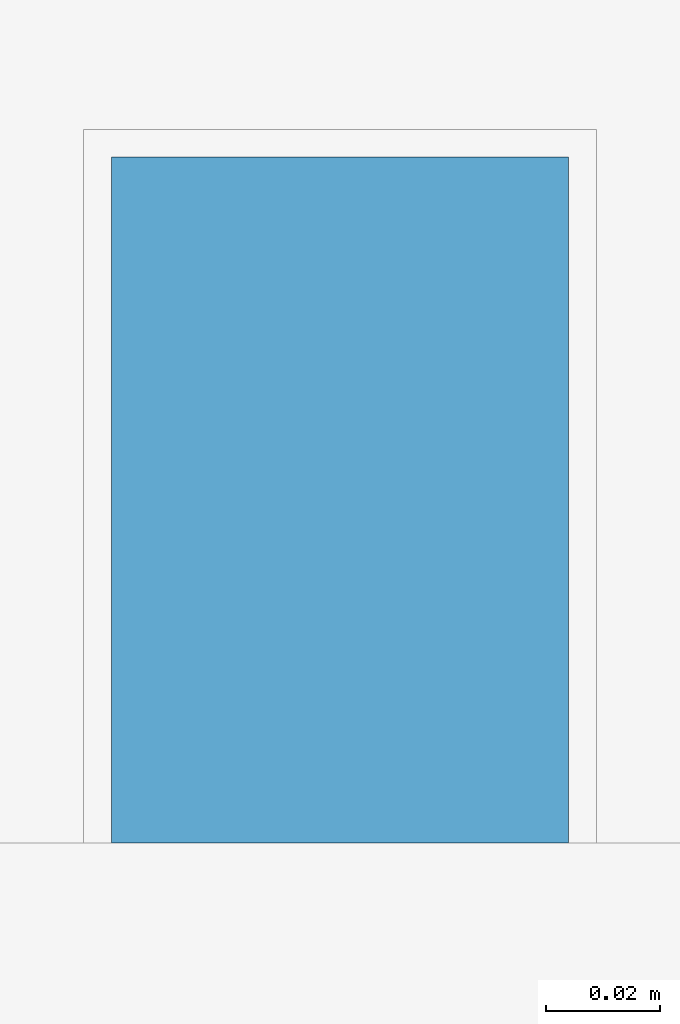
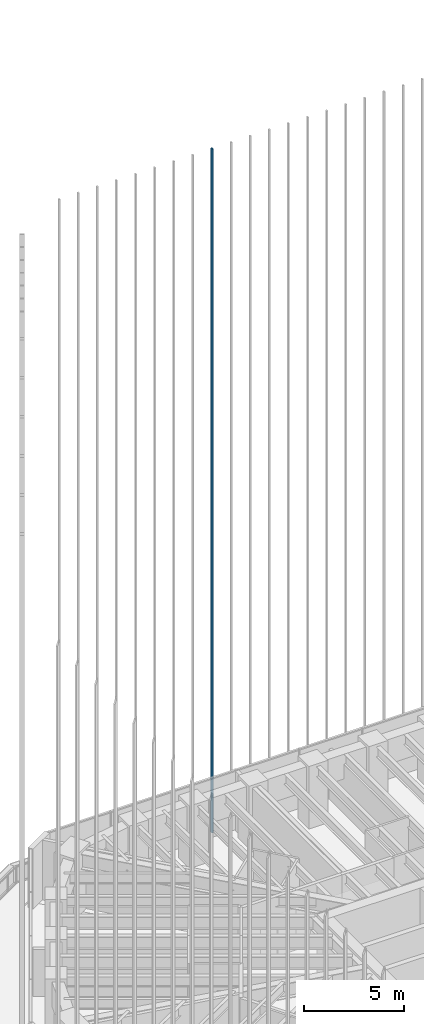
# One storey, part 77 of 127: 1 member, 1 element without a shape of its own.
"""IFC4 building model written with IfcOpenShell, lengths in metres."""

from ifc_helpers import new_model, si_unit, direction, frame, origin, origin_2d, place, context, subcontext, project, spatial, rectangle, extrude, material, material_profile, profile_set, type_object, element, aggregate, save


model = new_model("IFC4")

# Units and contexts
model_context = context("Model", 3, precision=1e-05, world=origin(), true_north=direction((0.0, 1.0)))
body_context = subcontext(model_context, "Body", "Model", "MODEL_VIEW")
ifc_project = project(units=[si_unit("LENGTHUNIT", "METRE"), si_unit("AREAUNIT", "SQUARE_METRE"), si_unit("VOLUMEUNIT", "CUBIC_METRE"), si_unit("PLANEANGLEUNIT", "RADIAN"), si_unit("MASSUNIT", "GRAM", prefix="KILO")], contexts=[model_context])

# Site, building, storey
site_placement = place(None, origin())
site = spatial("IfcSite", under=ifc_project, at=site_placement, CompositionType="ELEMENT")
building_placement = place(site_placement, origin())
building = spatial("IfcBuilding", under=site, at=building_placement, Name="Sandreach Pilgrim Tower", CompositionType="ELEMENT")
storey_placement = place(building_placement, frame((0.0, 0.0, 257.0)))
storey = spatial("IfcBuildingStorey", under=building, at=storey_placement, Name="L64", CompositionType="ELEMENT", Elevation=257.0)

# Curtain wall, member
ifc_material_1 = material(Name="Aluminium framed curtain wall", Category="aluminium")
curtain_wall_type = type_object("IfcCurtainWallType", Name="Suite tower curtain wall", PredefinedType="NOTDEFINED", material=ifc_material_1)
curtain_wall_placement = place(storey_placement, origin())
curtain_wall = element("IfcCurtainWall", 1, at=curtain_wall_placement, inside=storey, type_object=curtain_wall_type, Name="CW-4 L64 N", PredefinedType="NOTDEFINED")
ifc_material_2 = material(Name="Extruded terracotta on aluminium core", Category="masonry")
ifc_material_profile = material_profile(ifc_material_2, rectangle(XDim=0.080078125, YDim=0.1201171875, at=origin_2d()), Name="TBN 80X120")
ifc_profile_set = profile_set([ifc_material_profile], Name="Extruded terracotta on aluminium core")
member_type = type_object("IfcMemberType", Name="Terracotta baguette north", PredefinedType="USERDEFINED", material=ifc_profile_set)
member_placement = place(storey_placement, frame((-6.6025390625, 20.1865234375, 0.0), z_axis=(0.0, 0.0, 1.0), x_axis=(1.0, 0.0, 0.0)))
member = element("IfcMember", 2, at=member_placement, type_object=member_type, Name="Baguette Z4 N09", ObjectType="BAGUETTE", PredefinedType="USERDEFINED", context=body_context, shape_type="SweptSolid", body=[
    extrude(rectangle(XDim=0.080078125, YDim=0.1201171875, at=origin_2d()), origin(), (0.0, 0.0, 1.0), 41.639892578125),
])
aggregate(curtain_wall, [member])

save(model, "model.ifc")
